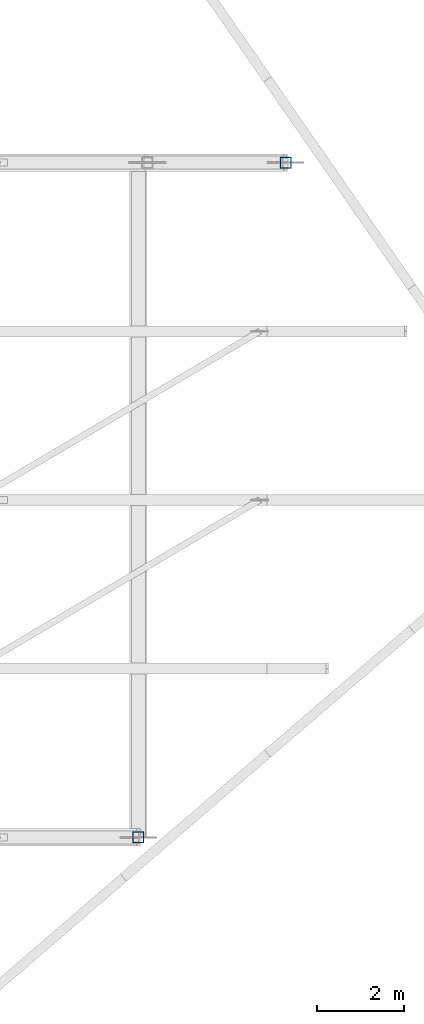
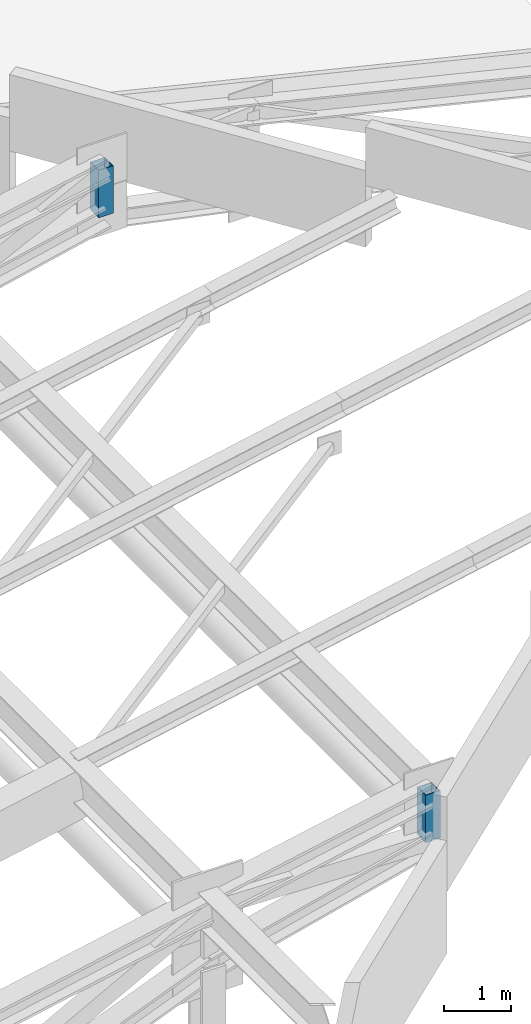
# One storey, part 35 of 73: 2 members.
"""IFC4 building model written with IfcOpenShell, lengths in metres."""

from ifc_helpers import new_model, si_unit, direction, frame, origin, origin_2d, place, context, subcontext, project, spatial, hollow_rectangle, extrude, material, material_profile, profile_set, type_object, element, save


model = new_model("IFC4")

# Units and contexts
model_context = context("Model", 3, precision=1e-05, world=origin(), true_north=direction((0.0, 1.0)))
body_context = subcontext(model_context, "Body", "Model", "MODEL_VIEW")
ifc_project = project(units=[si_unit("LENGTHUNIT", "METRE"), si_unit("AREAUNIT", "SQUARE_METRE"), si_unit("VOLUMEUNIT", "CUBIC_METRE"), si_unit("PLANEANGLEUNIT", "RADIAN"), si_unit("MASSUNIT", "GRAM", prefix="KILO")], contexts=[model_context])

# Site, building, storey
site_placement = place(None, origin())
site = spatial("IfcSite", under=ifc_project, at=site_placement, CompositionType="ELEMENT")
building_placement = place(site_placement, origin())
building = spatial("IfcBuilding", under=site, at=building_placement, Name="Vervanel Yard Central Library", CompositionType="ELEMENT")
storey_placement = place(building_placement, frame((0.0, 0.0, 12.780029296875)))
storey = spatial("IfcBuildingStorey", under=building, at=storey_placement, Name="L03", CompositionType="ELEMENT", Elevation=12.780029296875)

# Members
ifc_material = material(Name="Steel ASTM A500 Grade C", Category="steel")
ifc_material_profile = material_profile(ifc_material, hollow_rectangle(XDim=0.25390625, YDim=0.25390625, WallThickness=0.01171875, at=origin_2d()), Name="HSS10X10X1/2", Category="steel")
ifc_profile_set = profile_set([ifc_material_profile], Name="Steel ASTM A500 Grade C")
member_type = type_object("IfcMemberType", Name="Prow Truss Web Vertical HSS10X10X1/2", PredefinedType="BRACE", material=ifc_profile_set)
member_1_placement = place(storey_placement, frame((149.800048828125, 47.10009765625, 8.9638671875), z_axis=(0.0, 0.0, 1.0), x_axis=(1.0, 0.0, 0.0)))
element("IfcMember", 1, at=member_1_placement, inside=storey, type_object=member_type, Name="Prow Cantilever Truss S Vertical 5", PredefinedType="BRACE", context=body_context, shape_type="SweptSolid", body=[
    extrude(hollow_rectangle(XDim=0.25390625, YDim=0.25390625, WallThickness=0.01171875, at=origin_2d()), origin(), (0.0, 0.0, 1.0), 0.85986328125),
])
member_2_placement = place(storey_placement, frame((153.199951171875, 62.699951171875, 9.642333984375), z_axis=(0.0, 0.0, 1.0), x_axis=(1.0, 0.0, 0.0)))
element("IfcMember", 2, at=member_2_placement, inside=storey, type_object=member_type, Name="Prow Cantilever Truss N Vertical 6", PredefinedType="BRACE", context=body_context, shape_type="SweptSolid", body=[
    extrude(hollow_rectangle(XDim=0.25390625, YDim=0.25390625, WallThickness=0.01171875, at=origin_2d()), origin(), (0.0, 0.0, 1.0), 0.860107421875),
])

save(model, "model.ifc")
